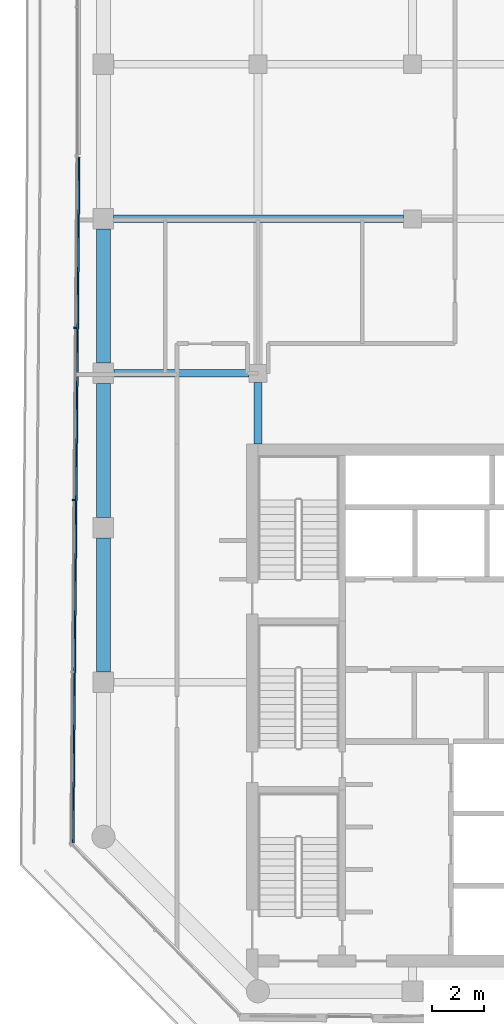
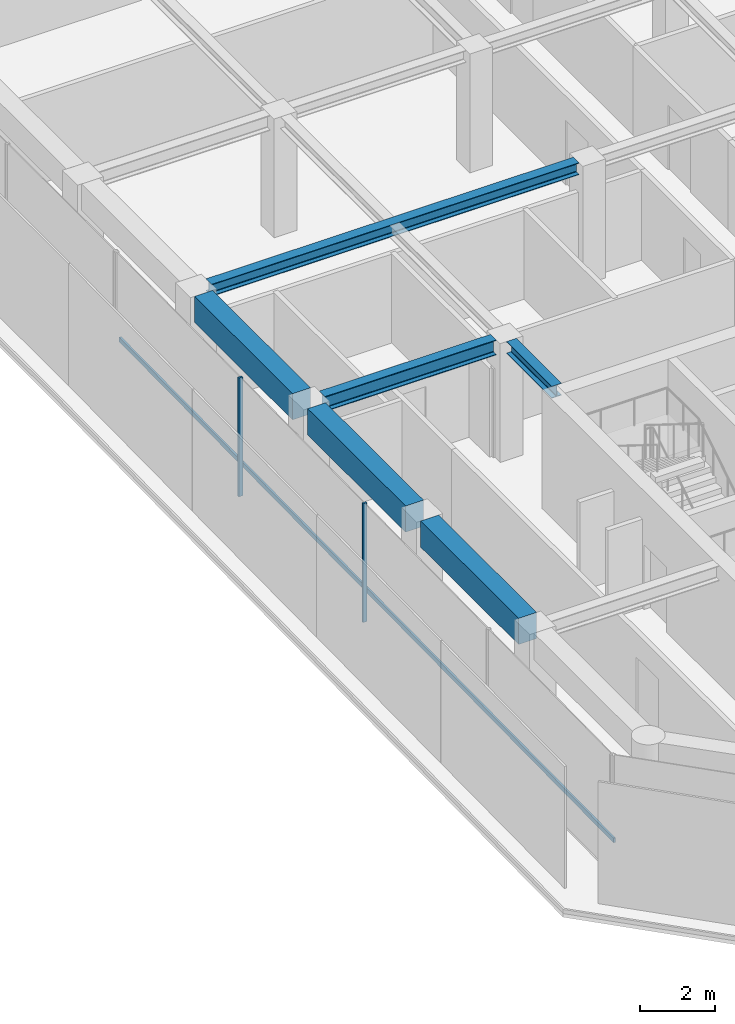
# One storey, part 4 of 19: 6 beams, 3 members, 1 element without a shape of its own.
"""IFC4 building model written with IfcOpenShell, lengths in metres."""

from ifc_helpers import new_model, si_unit, direction, frame, origin, origin_2d, place, context, subcontext, project, spatial, rectangle, i_section, extrude, material, layer, layer_set, material_profile, profile_set, type_object, element, aggregate, save


model = new_model("IFC4")

# Units and contexts
model_context = context("Model", 3, precision=1e-05, world=origin(), true_north=direction((0.0, 1.0)))
body_context = subcontext(model_context, "Body", "Model", "MODEL_VIEW")
ifc_project = project(units=[si_unit("LENGTHUNIT", "METRE"), si_unit("AREAUNIT", "SQUARE_METRE"), si_unit("VOLUMEUNIT", "CUBIC_METRE"), si_unit("PLANEANGLEUNIT", "RADIAN"), si_unit("MASSUNIT", "GRAM", prefix="KILO")], contexts=[model_context])

# Site, building, storey
site_placement = place(None, origin())
site = spatial("IfcSite", under=ifc_project, at=site_placement, CompositionType="ELEMENT")
building_placement = place(site_placement, origin())
building = spatial("IfcBuilding", under=site, at=building_placement, Name="Welwitschia Terrace Campus", CompositionType="ELEMENT")
storey_placement = place(building_placement, frame((0.0, 0.0, 230.60009765625)))
storey = spatial("IfcBuildingStorey", under=building, at=storey_placement, Name="L51", CompositionType="ELEMENT", Elevation=230.60009765625)

# Beams
ifc_material_1 = material(Name="Steel S355", Category="steel")
ifc_material_profile_1 = material_profile(ifc_material_1, i_section(OverallWidth=0.300048828125, OverallDepth=0.389892578125, WebThickness=0.010986328125, FlangeThickness=0.01904296875, FilletRadius=0.027099609375, at=origin_2d()))
ifc_profile_set_1 = profile_set([ifc_material_profile_1], Name="Steel S355")
beam_type_1 = type_object("IfcBeamType", Name="Interior girder HE 400 A", PredefinedType="BEAM", material=ifc_profile_set_1)
beam_1_placement = place(storey_placement, frame((0.390380859375, 34.0, 3.65478515625), z_axis=(1.0, 0.0, 0.0), x_axis=(0.0, 1.0, 0.0)))
element("IfcBeam", 1, at=beam_1_placement, inside=storey, type_object=beam_type_1, Name="Girder GB5", PredefinedType="BEAM", context=body_context, shape_type="SweptSolid", body=[
    extrude(i_section(OverallWidth=0.300048828125, OverallDepth=0.389892578125, WebThickness=0.010986328125, FlangeThickness=0.01904296875, FilletRadius=0.027099609375, at=origin_2d()), origin(), (0.0, 0.0, 1.0), 11.259033203125),
])
beam_2_placement = place(storey_placement, frame((6.0, 25.2509765625, 3.65478515625), z_axis=(0.0, 1.0, 0.0), x_axis=(-1.0, 0.0, 0.0)))
element("IfcBeam", 2, at=beam_2_placement, inside=storey, type_object=beam_type_1, Name="Girder GB5", PredefinedType="BEAM", context=body_context, shape_type="SweptSolid", body=[
    extrude(i_section(OverallWidth=0.300048828125, OverallDepth=0.389892578125, WebThickness=0.010986328125, FlangeThickness=0.01904296875, FilletRadius=0.027099609375, at=origin_2d()), origin(), (0.0, 0.0, 1.0), 2.3984375),
])

# Curtain wall, members
ifc_material_2 = material(Name="Bronze anodised aluminium", Category="aluminium")
ifc_layer = layer(ifc_material_2, 0.1201171875)
ifc_layer_set = layer_set([ifc_layer], Name="Bronze anodised aluminium")
curtain_wall_type = type_object("IfcCurtainWallType", Name="Curtain wall CW2 tower 6000", PredefinedType="NOTDEFINED", material=ifc_layer_set)
curtain_wall_placement = place(storey_placement, origin())
curtain_wall = element("IfcCurtainWall", 3, at=curtain_wall_placement, inside=storey, type_object=curtain_wall_type, Name="CW L51.2.0", PredefinedType="NOTDEFINED")
ifc_material_3 = material(Name="Bronze anodised aluminium", Category="aluminium")
ifc_material_profile_2 = material_profile(ifc_material_3, rectangle(XDim=0.1201171875, YDim=0.06005859375, at=origin_2d()))
ifc_profile_set_2 = profile_set([ifc_material_profile_2], Name="Bronze anodised aluminium")
member_type_1 = type_object("IfcMemberType", Name="Mullion 60x120", PredefinedType="MULLION", material=ifc_profile_set_2)
member_1_placement = place(storey_placement, frame((-1.08837890625, 29.7666015625, 0.0), z_axis=(0.0, 0.0, 1.0), x_axis=(0.999961923064, -0.008726535498, 0.0)))
member_1 = element("IfcMember", 4, at=member_1_placement, type_object=member_type_1, Name="Mullion L51.2.0.1", PredefinedType="MULLION", context=body_context, shape_type="SweptSolid", body=[
    extrude(rectangle(XDim=0.1201171875, YDim=0.06005859375, at=origin_2d()), origin(), (0.0, 0.0, 1.0), 3.849853515625),
])
member_2_placement = place(storey_placement, frame((-1.146728515625, 23.079345703125, 0.0), z_axis=(0.0, 0.0, 1.0), x_axis=(0.999961923064, -0.008726535498, 0.0)))
member_2 = element("IfcMember", 5, at=member_2_placement, type_object=member_type_1, Name="Mullion L51.2.0.2", PredefinedType="MULLION", context=body_context, shape_type="SweptSolid", body=[
    extrude(rectangle(XDim=0.1201171875, YDim=0.06005859375, at=origin_2d()), origin(), (0.0, 0.0, 1.0), 3.849853515625),
])

# Beams
ifc_material_4 = material(Name="Steel S355", Category="steel")
ifc_material_profile_3 = material_profile(ifc_material_4, i_section(OverallWidth=0.300048828125, OverallDepth=0.489990234375, WebThickness=0.011962890625, FlangeThickness=0.02294921875, FilletRadius=0.027099609375, at=origin_2d()))
ifc_profile_set_3 = profile_set([ifc_material_profile_3], Name="Steel S355")
beam_type_2 = type_object("IfcBeamType", Name="Primary beam HE 500 A", PredefinedType="BEAM", material=ifc_profile_set_3)
beam_3_placement = place(storey_placement, frame((0.400390625, 28.0, 3.60498046875), z_axis=(1.0, 0.0, 0.0), x_axis=(0.0, 1.0, 0.0)))
element("IfcBeam", 6, at=beam_3_placement, inside=storey, type_object=beam_type_2, Name="Primary beam PB5", PredefinedType="BEAM", context=body_context, shape_type="SweptSolid", body=[
    extrude(i_section(OverallWidth=0.300048828125, OverallDepth=0.489990234375, WebThickness=0.011962890625, FlangeThickness=0.02294921875, FilletRadius=0.027099609375, at=origin_2d()), origin(), (0.0, 0.0, 1.0), 5.2490234375),
])
ifc_material_5 = material(Name="Concrete C50/60", Category="concrete")
ifc_material_profile_4 = material_profile(ifc_material_5, rectangle(XDim=0.550048828125, YDim=0.85009765625, at=origin_2d()))
ifc_profile_set_4 = profile_set([ifc_material_profile_4], Name="Concrete C50/60")
beam_type_3 = type_object("IfcBeamType", Name="Ring spandrel 550x850", PredefinedType="SPANDREL", material=ifc_profile_set_4)
for number, where, z_axis, x_axis, name in (
    (7, (0.0, 33.599609375, 3.4248046875), (0.0, -1.0, 0.0), (1.0, 0.0, 0.0), "Spandrel SP3"),
    (8, (0.0, 27.599609375, 3.4248046875), (0.0, -1.0, 0.0), (1.0, 0.0, 0.0), "Spandrel SP3"),
    (9, (0.0, 21.599609375, 3.4248046875), (0.0, -1.0, 0.0), (1.0, 0.0, 0.0), "Spandrel SP3"),
):
    element("IfcBeam", number, at=place(storey_placement, frame(where, z_axis=z_axis, x_axis=x_axis)), inside=storey, type_object=beam_type_3, Name=name, PredefinedType="SPANDREL", context=body_context, shape_type="SweptSolid", body=[
        extrude(rectangle(XDim=0.550048828125, YDim=0.85009765625, at=origin_2d()), origin(), (0.0, 0.0, 1.0), 5.19921875),
    ])

# Member
ifc_material_6 = material(Name="Bronze anodised aluminium", Category="aluminium")
ifc_material_profile_5 = material_profile(ifc_material_6, rectangle(XDim=0.06005859375, YDim=0.14990234375, at=origin_2d()))
ifc_profile_set_5 = profile_set([ifc_material_profile_5], Name="Bronze anodised aluminium")
member_type_2 = type_object("IfcMemberType", Name="Transom 60x150", PredefinedType="USERDEFINED", material=ifc_profile_set_5)
member_3_placement = place(storey_placement, frame((-0.9404296875, 36.392822265625, 1.0), z_axis=(-0.008728007138, -0.99996191022, 0.0), x_axis=(0.99996191022, -0.008728007138, 0.0)))
member_3 = element("IfcMember", 10, at=member_3_placement, type_object=member_type_2, Name="Transom L51.2.0", ObjectType="TRANSOM", PredefinedType="USERDEFINED", context=body_context, shape_type="SweptSolid", body=[
    extrude(rectangle(XDim=0.06005859375, YDim=0.14990234375, at=origin_2d()), origin(), (0.0, 0.0, 1.0), 26.62939453125),
])

aggregate(curtain_wall, [member_1, member_2, member_3])

save(model, "model.ifc")
